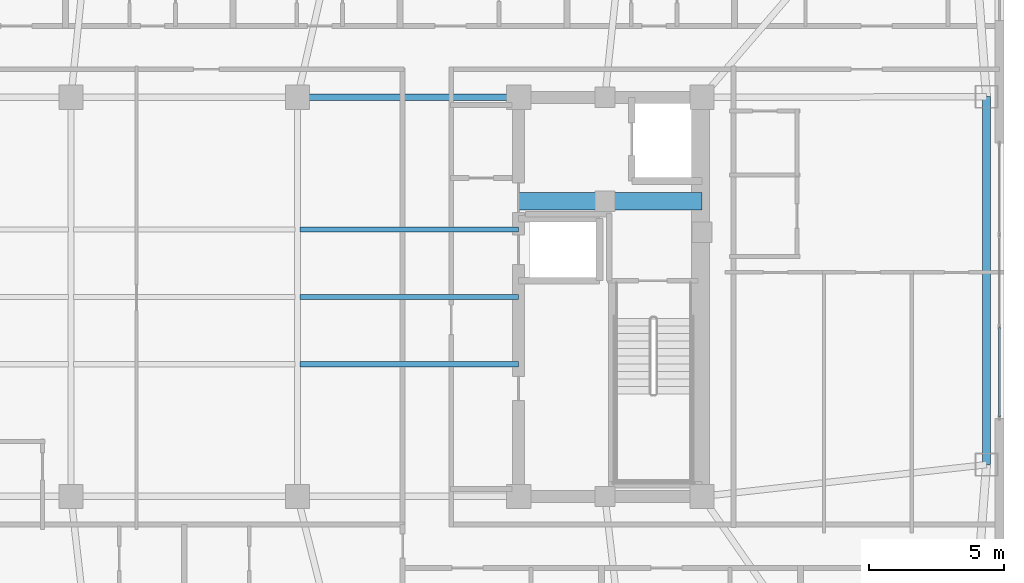
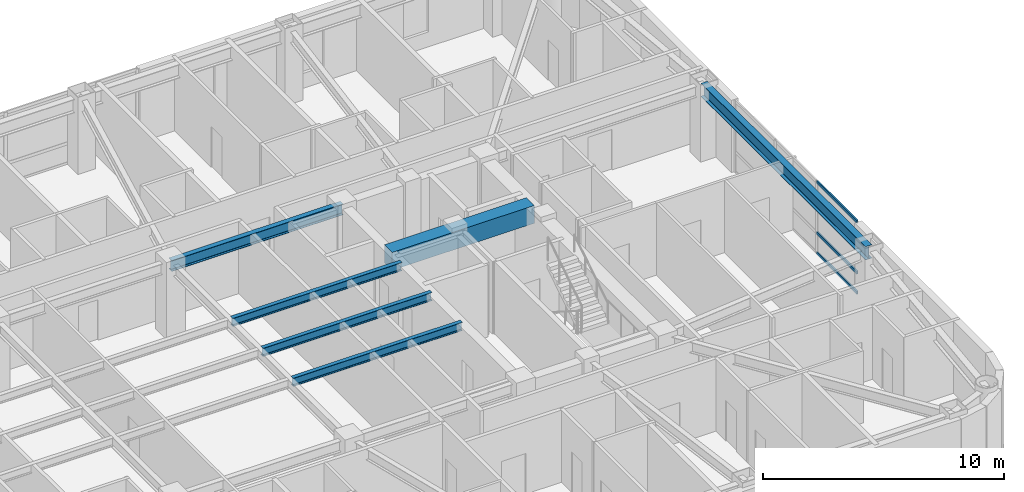
# One storey, part 12 of 29: 6 beams, 3 members, 1 element without a shape of its own.
"""IFC4 building model written with IfcOpenShell, lengths in metres."""

from ifc_helpers import new_model, si_unit, direction, frame, origin, origin_2d, place, context, subcontext, project, spatial, rectangle, hollow_rectangle, i_section, extrude, material, layer, layer_set, material_profile, profile_set, type_object, element, aggregate, save


model = new_model("IFC4")

# Units and contexts
model_context = context("Model", 3, precision=1e-05, world=origin(), true_north=direction((0.0, 1.0)))
body_context = subcontext(model_context, "Body", "Model", "MODEL_VIEW")
ifc_project = project(units=[si_unit("LENGTHUNIT", "METRE"), si_unit("AREAUNIT", "SQUARE_METRE"), si_unit("VOLUMEUNIT", "CUBIC_METRE"), si_unit("PLANEANGLEUNIT", "RADIAN"), si_unit("MASSUNIT", "GRAM", prefix="KILO")], contexts=[model_context])

# Site, building, storey
site_placement = place(None, origin())
site = spatial("IfcSite", under=ifc_project, at=site_placement, CompositionType="ELEMENT")
building_placement = place(site_placement, origin())
building = spatial("IfcBuilding", under=site, at=building_placement, Name="Voryun Gate Residences", CompositionType="ELEMENT")
storey_placement = place(building_placement, frame((0.0, 0.0, 211.89990234375)))
storey = spatial("IfcBuildingStorey", under=building, at=storey_placement, Name="L52", CompositionType="ELEMENT", Elevation=211.89990234375)

# Beams
ifc_material_1 = material(Name="Concrete C60/75", Category="concrete")
ifc_material_profile_1 = material_profile(ifc_material_1, rectangle(XDim=0.64990234375, YDim=0.89990234375, at=origin_2d()), Name="RC-650x900")
ifc_profile_set_1 = profile_set([ifc_material_profile_1], Name="Concrete C60/75")
beam_type_1 = type_object("IfcBeamType", Name="BM_COUP_RC900", PredefinedType="LINTEL", material=ifc_profile_set_1)
beam_1_placement = place(storey_placement, frame((12.39990234375, 3.550048828125, 3.2001953125), z_axis=(1.0, 0.0, 0.0), x_axis=(0.0, 1.0, 0.0)))
element("IfcBeam", 1, at=beam_1_placement, inside=storey, type_object=beam_type_1, Name="BM-L52-EC1", PredefinedType="LINTEL", context=body_context, shape_type="SweptSolid", body=[
    extrude(rectangle(XDim=0.64990234375, YDim=0.89990234375, at=origin_2d()), origin(), (0.0, 0.0, 1.0), 6.800048828125),
])
ifc_material_2 = material(Name="Steel SM355", Category="steel")
ifc_material_profile_2 = material_profile(ifc_material_2, i_section(OverallWidth=0.300048828125, OverallDepth=0.679931640625, WebThickness=0.013916015625, FlangeThickness=0.02490234375, FilletRadius=0.01806640625, at=origin_2d()), Name="H-680x300x14x25")
ifc_profile_set_2 = profile_set([ifc_material_profile_2], Name="Steel SM355")
beam_type_2 = type_object("IfcBeamType", Name="BM_EXO_SPANDREL_M", PredefinedType="SPANDREL", material=ifc_profile_set_2)
beam_2_placement = place(storey_placement, frame((29.75, -6.221923828125, 3.31005859375), z_axis=(0.0, 1.0, 0.0), x_axis=(-1.0, 0.0, 0.0)))
element("IfcBeam", 2, at=beam_2_placement, inside=storey, type_object=beam_type_2, Name="BM-L52-SPAND-08", PredefinedType="SPANDREL", context=body_context, shape_type="SweptSolid", body=[
    extrude(i_section(OverallWidth=0.300048828125, OverallDepth=0.679931640625, WebThickness=0.013916015625, FlangeThickness=0.02490234375, FilletRadius=0.01806640625, at=origin_2d()), origin(), (0.0, 0.0, 1.0), 13.64404296875),
])
ifc_material_3 = material(Name="Steel SM355", Category="steel")
ifc_material_profile_3 = material_profile(ifc_material_3, i_section(OverallWidth=0.239990234375, OverallDepth=0.550048828125, WebThickness=0.011962890625, FlangeThickness=0.02001953125, FilletRadius=0.01806640625, at=origin_2d()), Name="H-550x240x12x20")
ifc_profile_set_3 = profile_set([ifc_material_profile_3], Name="Steel SM355")
beam_type_3 = type_object("IfcBeamType", Name="BM_GIRD_550", PredefinedType="USERDEFINED", material=ifc_profile_set_3)
beam_3_placement = place(storey_placement, frame((4.199951171875, 7.39990234375, 3.375), z_axis=(1.0, 0.0, 0.0), x_axis=(0.0, 1.0, 0.0)))
element("IfcBeam", 3, at=beam_3_placement, inside=storey, type_object=beam_type_3, Name="BM-L52-SPG3-N", ObjectType="GIRDER", PredefinedType="USERDEFINED", context=body_context, shape_type="SweptSolid", body=[
    extrude(i_section(OverallWidth=0.239990234375, OverallDepth=0.550048828125, WebThickness=0.011962890625, FlangeThickness=0.02001953125, FilletRadius=0.01806640625, at=origin_2d()), origin(), (0.0, 0.0, 1.0), 8.199951171875),
])
ifc_material_4 = material(Name="Steel SM355", Category="steel")
ifc_material_profile_4 = material_profile(ifc_material_4, i_section(OverallWidth=0.18994140625, OverallDepth=0.419921875, WebThickness=0.009033203125, FlangeThickness=0.01611328125, FilletRadius=0.01806640625, at=origin_2d()), Name="H-420x190x9x16")
ifc_profile_set_4 = profile_set([ifc_material_profile_4], Name="Steel SM355")
beam_type_4 = type_object("IfcBeamType", Name="BM_SEC_420", PredefinedType="BEAM", material=ifc_profile_set_4)
for number, where, z_axis, x_axis, name in (
    (4, (4.300048828125, -2.5, 3.440185546875), (1.0, 0.0, 0.0), (0.0, 1.0, 0.0), "BM-L52-SEC-CS3"),
    (5, (4.300048828125, 0.0, 3.440185546875), (1.0, 0.0, 0.0), (0.0, 1.0, 0.0), "BM-L52-SEC-CM3"),
    (6, (4.300048828125, 2.5, 3.440185546875), (1.0, 0.0, 0.0), (0.0, 1.0, 0.0), "BM-L52-SEC-CN3"),
):
    element("IfcBeam", number, at=place(storey_placement, frame(where, z_axis=z_axis, x_axis=x_axis)), inside=storey, type_object=beam_type_4, Name=name, PredefinedType="BEAM", context=body_context, shape_type="SweptSolid", body=[
        extrude(i_section(OverallWidth=0.18994140625, OverallDepth=0.419921875, WebThickness=0.009033203125, FlangeThickness=0.01611328125, FilletRadius=0.01806640625, at=origin_2d()), origin(), (0.0, 0.0, 1.0), 8.099853515625),
    ])

# Curtain wall, members
ifc_material_5 = material(Name="Anodised aluminium", Category="aluminium")
ifc_layer = layer(ifc_material_5, 0.18994140625, Name="CW_SYS_RES_B_DARK_GLASS")
ifc_layer_set = layer_set([ifc_layer], Name="Anodised aluminium")
curtain_wall_type = type_object("IfcCurtainWallType", Name="CW_SYS_RES_B_DARK_GLASS", PredefinedType="NOTDEFINED", material=ifc_layer_set)
curtain_wall_placement = place(storey_placement, origin())
curtain_wall = element("IfcCurtainWall", 7, at=curtain_wall_placement, inside=storey, type_object=curtain_wall_type, Name="Curtain wall CWT-L52-16", PredefinedType="NOTDEFINED")
ifc_material_6 = material(Name="Anodised aluminium", Category="aluminium")
ifc_material_profile_5 = material_profile(ifc_material_6, hollow_rectangle(XDim=0.070068359375, YDim=0.14990234375, WallThickness=0.00390625, at=origin_2d()), Name="ALU-TRAN-150x70x4")
ifc_profile_set_5 = profile_set([ifc_material_profile_5], Name="Anodised aluminium")
member_type = type_object("IfcMemberType", Name="CW_TRAN_RES", PredefinedType="USERDEFINED", material=ifc_profile_set_5)
member_1_placement = place(storey_placement, frame((30.22998046875, -1.135009765625, 0.030029296875), z_axis=(0.0, -1.0, 0.0), x_axis=(1.0, 0.0, 0.0)))
member_1 = element("IfcMember", 8, at=member_1_placement, type_object=member_type, Name="CW4 transom 3.1", ObjectType="TRANSOM", PredefinedType="USERDEFINED", context=body_context, shape_type="SweptSolid", body=[
    extrude(hollow_rectangle(XDim=0.070068359375, YDim=0.14990234375, WallThickness=0.00390625, at=origin_2d()), origin(), (0.0, 0.0, 1.0), 3.319580078125),
])
member_2_placement = place(storey_placement, frame((30.22998046875, -1.135009765625, 1.050048828125), z_axis=(0.0, -1.0, 0.0), x_axis=(1.0, 0.0, 0.0)))
member_2 = element("IfcMember", 9, at=member_2_placement, type_object=member_type, Name="CW4 transom 3.2", ObjectType="TRANSOM", PredefinedType="USERDEFINED", context=body_context, shape_type="SweptSolid", body=[
    extrude(hollow_rectangle(XDim=0.070068359375, YDim=0.14990234375, WallThickness=0.00390625, at=origin_2d()), origin(), (0.0, 0.0, 1.0), 3.319580078125),
])
member_3_placement = place(storey_placement, frame((30.22998046875, -1.135009765625, 3.6201171875), z_axis=(0.0, -1.0, 0.0), x_axis=(1.0, 0.0, 0.0)))
member_3 = element("IfcMember", 10, at=member_3_placement, type_object=member_type, Name="CW4 transom 3.3", ObjectType="TRANSOM", PredefinedType="USERDEFINED", context=body_context, shape_type="SweptSolid", body=[
    extrude(hollow_rectangle(XDim=0.070068359375, YDim=0.14990234375, WallThickness=0.00390625, at=origin_2d()), origin(), (0.0, 0.0, 1.0), 3.319580078125),
])
aggregate(curtain_wall, [member_1, member_2, member_3])

save(model, "model.ifc")
